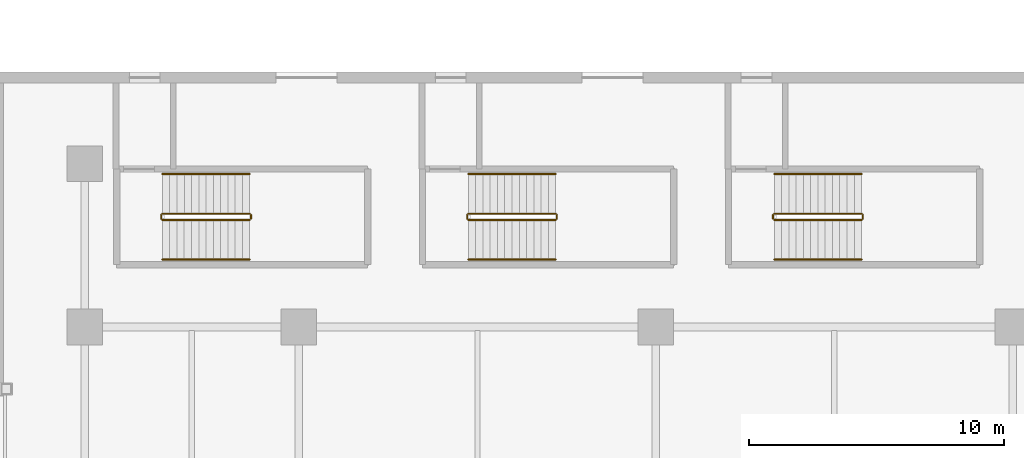
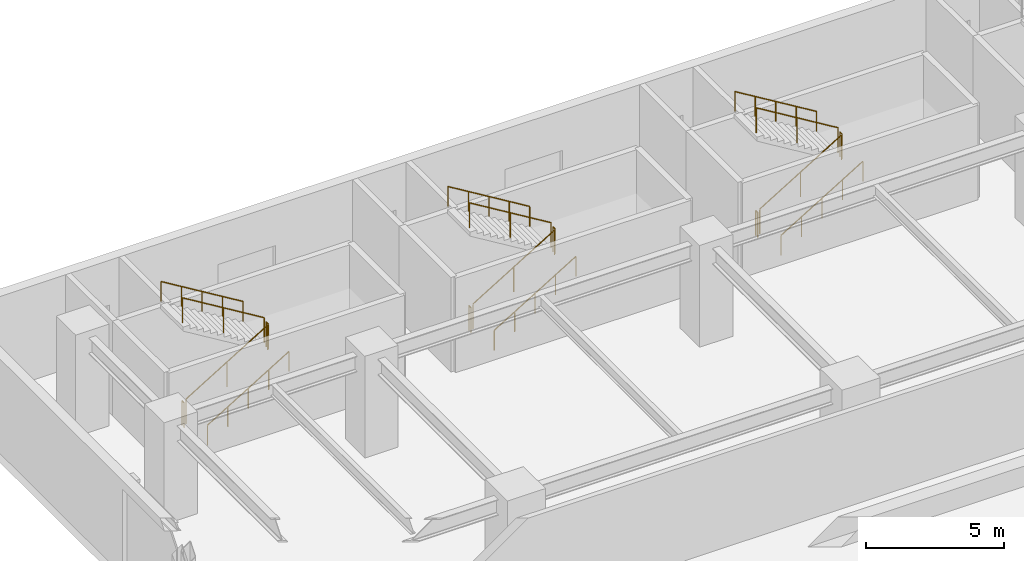
# One storey, part 39 of 42: 18 railings.
"""IFC4 building model written with IfcOpenShell, lengths in metres."""

import ifcopenshell
import ifcopenshell.guid

model = None  # the IFC model being written
_history = None  # IfcOwnerHistory: only IFC2X3 demands one
_inside = {}  # id of a spatial element -> (the spatial element, [elements in it])
_under = {}  # id of a project, library or spatial element -> (it, [spatial elements below it])
_declared = {}  # id of a project -> (the project, [libraries it declares])
_typed = {}  # id of a type object -> (the type object, [elements of that type])
_made_of = {}  # id of a material, layer set ... -> (it, [elements and type objects made of it])


def new_model(schema):
    """Start an empty IFC model of exactly this schema.

    Asked for "IFC4X3", IfcOpenShell would pick the latest addendum, in which some entities
    have other attributes; the version numbers below select the first issue.
    IFC2X3 requires an IfcOwnerHistory on every rooted entity: one is made here for all.
    """
    global model, _history
    if schema == "IFC4X3":
        model = ifcopenshell.file(schema_version=(4, 3, 0, 0))
    else:
        model = ifcopenshell.file(schema=schema)
    _inside.clear()
    _under.clear()
    _declared.clear()
    _typed.clear()
    _made_of.clear()
    _history = None
    if model.schema == "IFC2X3":
        org = make("IfcOrganization", Name="unknown")
        user = make(
            "IfcPersonAndOrganization",
            ThePerson=make("IfcPerson", FamilyName="unknown"),
            TheOrganization=org,
        )
        app = make(
            "IfcApplication",
            ApplicationDeveloper=org,
            Version="unknown",
            ApplicationFullName="unknown",
            ApplicationIdentifier="unknown",
        )
        _history = make(
            "IfcOwnerHistory",
            OwningUser=user,
            OwningApplication=app,
            ChangeAction="ADDED",
            CreationDate=0,
        )
    return model


def make(cls, **values):
    """One entity of the class cls with the attributes given. An attribute that is None is left unset."""
    return model.create_entity(
        cls, **{name: value for name, value in values.items() if value is not None}
    )


def rooted(cls, **values):
    """An entity with a GlobalId (a new one), such as an element, a storey or a relation."""
    return make(cls, GlobalId=ifcopenshell.guid.new(), OwnerHistory=_history, **values)


def si_unit(unit_type, name, prefix=None):
    """IfcSIUnit, for example si_unit("LENGTHUNIT", "METRE", prefix="MILLI")."""
    return make("IfcSIUnit", UnitType=unit_type, Prefix=prefix, Name=name)


def assignment(units):
    """IfcUnitAssignment: the units of a project."""
    return None if units is None else make("IfcUnitAssignment", Units=units)


def point(xyz):
    """IfcCartesianPoint."""
    return None if xyz is None else make("IfcCartesianPoint", Coordinates=xyz)


def direction(xyz):
    """IfcDirection."""
    return None if xyz is None else make("IfcDirection", DirectionRatios=xyz)


def frame(location, z_axis=None, x_axis=None):
    """IfcAxis2Placement3D, a coordinate frame: its origin and axes. An axis left out is left unset."""
    return make(
        "IfcAxis2Placement3D",
        Location=point(location),
        Axis=direction(z_axis),
        RefDirection=direction(x_axis),
    )


def frame_2d(location, x_axis=None):
    """IfcAxis2Placement2D, a coordinate frame in the plane: its origin and x axis."""
    return make(
        "IfcAxis2Placement2D", Location=point(location), RefDirection=direction(x_axis)
    )


def origin():
    """The frame at (0, 0, 0) with its axes left unset."""
    return frame((0.0, 0.0, 0.0))


def origin_2d():
    """The frame at (0, 0) in the plane with its x axis left unset."""
    return frame_2d((0.0, 0.0))


def place(relative_to, where):
    """IfcLocalPlacement: puts the frame where relative to a parent placement (None: the world)."""
    return make(
        "IfcLocalPlacement", PlacementRelTo=relative_to, RelativePlacement=where
    )


def context(
    kind, dimensions, precision=None, world=None, true_north=None, identifier=None
):
    """IfcGeometricRepresentationContext, for example the 3D "Model" context."""
    return make(
        "IfcGeometricRepresentationContext",
        ContextIdentifier=identifier,
        ContextType=kind,
        CoordinateSpaceDimension=dimensions,
        Precision=precision,
        WorldCoordinateSystem=world,
        TrueNorth=true_north,
    )


def subcontext(parent, identifier, kind, view, scale=None):
    """IfcGeometricRepresentationSubContext, for example "Body" below "Model"."""
    return make(
        "IfcGeometricRepresentationSubContext",
        ContextIdentifier=identifier,
        ContextType=kind,
        ParentContext=parent,
        TargetScale=scale,
        TargetView=view,
    )


def project(units=None, contexts=None):
    """IfcProject with its units and contexts."""
    return rooted(
        "IfcProject",
        Name="project",
        RepresentationContexts=contexts,
        UnitsInContext=assignment(units),
    )


def spatial(cls, under=None, at=None, **own):
    """A site, building, storey or space (cls), placed at a placement, below another one or the project."""
    s = rooted(cls, ObjectPlacement=at, **own)
    if under is not None:
        _under.setdefault(under.id(), (under, []))[1].append(s)
    return s


def profile(cls, at=None, kind="AREA", **sizes):
    """A parametric profile (cls). Its sizes go by their IFC names, for example OverallWidth=200.0."""
    return make(cls, ProfileType=kind, Position=at, **sizes)


def circle(**sizes):
    """IfcCircleProfileDef."""
    return profile("IfcCircleProfileDef", **sizes)


def extrude(swept, where, along, depth):
    """IfcExtrudedAreaSolid: the profile swept, set in the frame where, extruded along a direction by depth."""
    return make(
        "IfcExtrudedAreaSolid",
        SweptArea=swept,
        Position=where,
        ExtrudedDirection=direction(along),
        Depth=depth,
    )


def shape(context_of_items, identifier, shape_type, items):
    """IfcShapeRepresentation: the items that make up one representation, for example the "Body"."""
    return make(
        "IfcShapeRepresentation",
        ContextOfItems=context_of_items,
        RepresentationIdentifier=identifier,
        RepresentationType=shape_type,
        Items=items,
    )


def material(Name=None, Category=None):
    """IfcMaterial."""
    return make("IfcMaterial", Name=Name, Category=Category)


def made_of(thing, what):
    """Note that an element or type object is made of a material, layer set ...; save() writes the relation."""
    if what is not None:
        _made_of.setdefault(what.id(), (what, []))[1].append(thing)
    return thing


def type_object(cls, material=None, **own):
    """A type object (cls), such as IfcWallType, which elements share."""
    return made_of(rooted(cls, **own), material)


def element(
    cls,
    number,
    at=None,
    inside=None,
    cuts=None,
    type_object=None,
    material=None,
    context=None,
    identifier="Body",
    shape_type=None,
    held_by="IfcProductDefinitionShape",
    body=None,
    shapes=None,
    **own,
):
    """One element of the class cls, such as IfcWall. Its Tag is "e" and its number.

    at: its placement. inside: the storey or other place that contains it. cuts: it is an
    opening in that element (IfcRelVoidsElement). A single representation is given by context,
    identifier, shape_type and body (its items); several are given by shapes. held_by: the class
    of the entity that holds the representations. save() writes the other relations.
    """
    e = rooted(cls, Tag="e%d" % number, ObjectPlacement=at, **own)
    if body is not None:
        shapes = [shape(context, identifier, shape_type, body)]
    if shapes is not None:
        e.Representation = make(held_by, Representations=shapes)
    if inside is not None:
        _inside.setdefault(inside.id(), (inside, []))[1].append(e)
    if cuts is not None:
        rooted(
            "IfcRelVoidsElement", RelatingBuildingElement=cuts, RelatedOpeningElement=e
        )
    if type_object is not None:
        _typed.setdefault(type_object.id(), (type_object, []))[1].append(e)
    return made_of(e, material)


def aggregate(whole, parts):
    """IfcRelAggregates: a whole, such as a stair, and the parts it consists of."""
    return rooted("IfcRelAggregates", RelatingObject=whole, RelatedObjects=parts)


def save(model, path):
    """Write the relations noted so far, then the file.

    IfcRelAggregates (storeys below a building ...), IfcRelContainedInSpatialStructure (elements
    in a storey), IfcRelDefinesByType, IfcRelAssociatesMaterial and IfcRelDeclares: one each for
    every whole, place, type object, material and project.
    """
    for whole, parts in _under.values():
        aggregate(whole, parts)
    for where, things in _inside.values():
        rooted(
            "IfcRelContainedInSpatialStructure",
            RelatedElements=things,
            RelatingStructure=where,
        )
    for kind, things in _typed.values():
        rooted("IfcRelDefinesByType", RelatedObjects=things, RelatingType=kind)
    for what, things in _made_of.values():
        rooted("IfcRelAssociatesMaterial", RelatedObjects=things, RelatingMaterial=what)
    for by, libraries in _declared.values():
        rooted("IfcRelDeclares", RelatingContext=by, RelatedDefinitions=libraries)
    model.write(path)


model = new_model("IFC4")

# Units and contexts
model_context = context("Model", 3, precision=1e-05, world=origin(), true_north=direction((0.0, 1.0)))
body_context = subcontext(model_context, "Body", "Model", "MODEL_VIEW")
ifc_project = project(units=[si_unit("LENGTHUNIT", "METRE"), si_unit("AREAUNIT", "SQUARE_METRE"), si_unit("VOLUMEUNIT", "CUBIC_METRE"), si_unit("PLANEANGLEUNIT", "RADIAN"), si_unit("MASSUNIT", "GRAM", prefix="KILO")], contexts=[model_context])

# Site, building, storey
site_placement = place(None, origin())
site = spatial("IfcSite", under=ifc_project, at=site_placement, CompositionType="ELEMENT")
building_placement = place(site_placement, origin())
building = spatial("IfcBuilding", under=site, at=building_placement, Name="Narakoshi Arena Tower", CompositionType="ELEMENT")
storey_placement = place(building_placement, origin())
storey = spatial("IfcBuildingStorey", under=building, at=storey_placement, Name="L00", CompositionType="ELEMENT", Elevation=0.0)

# Railings
ifc_material_1 = material(Name="Clear low-iron laminated structural glass", Category="glass")
railing_type_1 = type_object("IfcRailingType", Name="RL-BAL-1100", PredefinedType="BALUSTRADE", material=ifc_material_1)
railing_1_placement = place(storey_placement, frame((6.64990234375, 90.199951171875, 0.173095703125)))
element("IfcRailing", 1, at=railing_1_placement, inside=storey, type_object=railing_type_1, Name="L00 AST5 stair guard 1", PredefinedType="BALUSTRADE", context=body_context, shape_type="SweptSolid", body=[
    extrude(circle(Radius=0.02392578125, at=origin_2d()), frame((0.0, 0.0, 1.09619140625), z_axis=(0.854745945586, 0.0, 0.519046595696), x_axis=(0.0, 1.0, 0.0)), (0.0, 0.0, 1.0), 4.00146484375),
    extrude(circle(Radius=0.02099609375, at=origin_2d()), origin(), (0.0, 0.0, 1.0), 1.072021484375),
    extrude(circle(Radius=0.02099609375, at=origin_2d()), frame((1.7099609375, 0.0, 1.03857421875)), (0.0, 0.0, 1.0), 1.072021484375),
    extrude(circle(Radius=0.02099609375, at=origin_2d()), frame((3.420166015625, 0.0, 2.076904296875)), (0.0, 0.0, 1.0), 1.072021484375),
])
railing_2_placement = place(storey_placement, frame((10.1201171875, 90.25, 2.25)))
element("IfcRailing", 2, at=railing_2_placement, inside=storey, type_object=railing_type_1, Name="L00 AST5 stair guard 2", PredefinedType="BALUSTRADE", context=body_context, shape_type="SweptSolid", body=[
    extrude(circle(Radius=0.02392578125, at=origin_2d()), frame((0.0, 0.0, 1.09619140625), z_axis=(0.0, 1.0, 0.0), x_axis=(-1.0, 0.0, 0.0)), (0.0, 0.0, 1.0), 0.14990234375),
    extrude(circle(Radius=0.02099609375, at=origin_2d()), origin(), (0.0, 0.0, 1.0), 1.072021484375),
    extrude(circle(Radius=0.02099609375, at=origin_2d()), frame((0.0, 0.14990234375, 0.0)), (0.0, 0.0, 1.0), 1.072021484375),
])
railing_3_placement = place(storey_placement, frame((10.070068359375, 90.449951171875, 2.423095703125)))
element("IfcRailing", 3, at=railing_3_placement, inside=storey, type_object=railing_type_1, Name="L00 AST5 stair guard 3", PredefinedType="BALUSTRADE", context=body_context, shape_type="SweptSolid", body=[
    extrude(circle(Radius=0.02392578125, at=origin_2d()), frame((0.0, 0.0, 1.09619140625), z_axis=(-0.854745945586, 0.0, 0.519046595696), x_axis=(0.0, -1.0, 0.0)), (0.0, 0.0, 1.0), 4.00146484375),
    extrude(circle(Radius=0.02099609375, at=origin_2d()), origin(), (0.0, 0.0, 1.0), 1.072021484375),
    extrude(circle(Radius=0.02099609375, at=origin_2d()), frame((-1.7099609375, 0.0, 1.03857421875)), (0.0, 0.0, 1.0), 1.072021484375),
    extrude(circle(Radius=0.02099609375, at=origin_2d()), frame((-3.420166015625, 0.0, 2.076904296875)), (0.0, 0.0, 1.0), 1.072021484375),
])
railing_4_placement = place(storey_placement, frame((6.60009765625, 90.25, 0.0)))
element("IfcRailing", 4, at=railing_4_placement, inside=storey, type_object=railing_type_1, Name="L00 AST5 stair guard 4", PredefinedType="BALUSTRADE", context=body_context, shape_type="SweptSolid", body=[
    extrude(circle(Radius=0.02392578125, at=origin_2d()), frame((0.0, 0.0, 1.09619140625), z_axis=(0.0, 1.0, 0.0), x_axis=(-1.0, 0.0, 0.0)), (0.0, 0.0, 1.0), 0.14990234375),
    extrude(circle(Radius=0.02099609375, at=origin_2d()), origin(), (0.0, 0.0, 1.0), 1.072021484375),
    extrude(circle(Radius=0.02099609375, at=origin_2d()), frame((0.0, 0.14990234375, 0.0)), (0.0, 0.0, 1.0), 1.072021484375),
])
railing_5_placement = place(storey_placement, frame((18.64990234375, 90.199951171875, 0.173095703125)))
element("IfcRailing", 5, at=railing_5_placement, inside=storey, type_object=railing_type_1, Name="L00 AST6 stair guard 1", PredefinedType="BALUSTRADE", context=body_context, shape_type="SweptSolid", body=[
    extrude(circle(Radius=0.02392578125, at=origin_2d()), frame((0.0, 0.0, 1.09619140625), z_axis=(0.854745945586, 0.0, 0.519046595696), x_axis=(0.0, 1.0, 0.0)), (0.0, 0.0, 1.0), 4.00146484375),
    extrude(circle(Radius=0.02099609375, at=origin_2d()), origin(), (0.0, 0.0, 1.0), 1.072021484375),
    extrude(circle(Radius=0.02099609375, at=origin_2d()), frame((1.7099609375, 0.0, 1.03857421875)), (0.0, 0.0, 1.0), 1.072021484375),
    extrude(circle(Radius=0.02099609375, at=origin_2d()), frame((3.420166015625, 0.0, 2.076904296875)), (0.0, 0.0, 1.0), 1.072021484375),
])
railing_6_placement = place(storey_placement, frame((22.1201171875, 90.25, 2.25)))
element("IfcRailing", 6, at=railing_6_placement, inside=storey, type_object=railing_type_1, Name="L00 AST6 stair guard 2", PredefinedType="BALUSTRADE", context=body_context, shape_type="SweptSolid", body=[
    extrude(circle(Radius=0.02392578125, at=origin_2d()), frame((0.0, 0.0, 1.09619140625), z_axis=(0.0, 1.0, 0.0), x_axis=(-1.0, 0.0, 0.0)), (0.0, 0.0, 1.0), 0.14990234375),
    extrude(circle(Radius=0.02099609375, at=origin_2d()), origin(), (0.0, 0.0, 1.0), 1.072021484375),
    extrude(circle(Radius=0.02099609375, at=origin_2d()), frame((0.0, 0.14990234375, 0.0)), (0.0, 0.0, 1.0), 1.072021484375),
])
railing_7_placement = place(storey_placement, frame((22.070068359375, 90.449951171875, 2.423095703125)))
element("IfcRailing", 7, at=railing_7_placement, inside=storey, type_object=railing_type_1, Name="L00 AST6 stair guard 3", PredefinedType="BALUSTRADE", context=body_context, shape_type="SweptSolid", body=[
    extrude(circle(Radius=0.02392578125, at=origin_2d()), frame((0.0, 0.0, 1.09619140625), z_axis=(-0.854745945586, 0.0, 0.519046595696), x_axis=(0.0, -1.0, 0.0)), (0.0, 0.0, 1.0), 4.00146484375),
    extrude(circle(Radius=0.02099609375, at=origin_2d()), origin(), (0.0, 0.0, 1.0), 1.072021484375),
    extrude(circle(Radius=0.02099609375, at=origin_2d()), frame((-1.7099609375, 0.0, 1.03857421875)), (0.0, 0.0, 1.0), 1.072021484375),
    extrude(circle(Radius=0.02099609375, at=origin_2d()), frame((-3.420166015625, 0.0, 2.076904296875)), (0.0, 0.0, 1.0), 1.072021484375),
])
railing_8_placement = place(storey_placement, frame((18.60009765625, 90.25, 0.0)))
element("IfcRailing", 8, at=railing_8_placement, inside=storey, type_object=railing_type_1, Name="L00 AST6 stair guard 4", PredefinedType="BALUSTRADE", context=body_context, shape_type="SweptSolid", body=[
    extrude(circle(Radius=0.02392578125, at=origin_2d()), frame((0.0, 0.0, 1.09619140625), z_axis=(0.0, 1.0, 0.0), x_axis=(-1.0, 0.0, 0.0)), (0.0, 0.0, 1.0), 0.14990234375),
    extrude(circle(Radius=0.02099609375, at=origin_2d()), origin(), (0.0, 0.0, 1.0), 1.072021484375),
    extrude(circle(Radius=0.02099609375, at=origin_2d()), frame((0.0, 0.14990234375, 0.0)), (0.0, 0.0, 1.0), 1.072021484375),
])
railing_9_placement = place(storey_placement, frame((30.64990234375, 90.199951171875, 0.173095703125)))
element("IfcRailing", 9, at=railing_9_placement, inside=storey, type_object=railing_type_1, Name="L00 AST7 stair guard 1", PredefinedType="BALUSTRADE", context=body_context, shape_type="SweptSolid", body=[
    extrude(circle(Radius=0.02392578125, at=origin_2d()), frame((0.0, 0.0, 1.09619140625), z_axis=(0.854745945586, 0.0, 0.519046595696), x_axis=(0.0, 1.0, 0.0)), (0.0, 0.0, 1.0), 4.00146484375),
    extrude(circle(Radius=0.02099609375, at=origin_2d()), origin(), (0.0, 0.0, 1.0), 1.072021484375),
    extrude(circle(Radius=0.02099609375, at=origin_2d()), frame((1.7099609375, 0.0, 1.03857421875)), (0.0, 0.0, 1.0), 1.072021484375),
    extrude(circle(Radius=0.02099609375, at=origin_2d()), frame((3.420166015625, 0.0, 2.076904296875)), (0.0, 0.0, 1.0), 1.072021484375),
])
railing_10_placement = place(storey_placement, frame((34.1201171875, 90.25, 2.25)))
element("IfcRailing", 10, at=railing_10_placement, inside=storey, type_object=railing_type_1, Name="L00 AST7 stair guard 2", PredefinedType="BALUSTRADE", context=body_context, shape_type="SweptSolid", body=[
    extrude(circle(Radius=0.02392578125, at=origin_2d()), frame((0.0, 0.0, 1.09619140625), z_axis=(0.0, 1.0, 0.0), x_axis=(-1.0, 0.0, 0.0)), (0.0, 0.0, 1.0), 0.14990234375),
    extrude(circle(Radius=0.02099609375, at=origin_2d()), origin(), (0.0, 0.0, 1.0), 1.072021484375),
    extrude(circle(Radius=0.02099609375, at=origin_2d()), frame((0.0, 0.14990234375, 0.0)), (0.0, 0.0, 1.0), 1.072021484375),
])
railing_11_placement = place(storey_placement, frame((34.070068359375, 90.449951171875, 2.423095703125)))
element("IfcRailing", 11, at=railing_11_placement, inside=storey, type_object=railing_type_1, Name="L00 AST7 stair guard 3", PredefinedType="BALUSTRADE", context=body_context, shape_type="SweptSolid", body=[
    extrude(circle(Radius=0.02392578125, at=origin_2d()), frame((0.0, 0.0, 1.09619140625), z_axis=(-0.854745945586, 0.0, 0.519046595696), x_axis=(0.0, -1.0, 0.0)), (0.0, 0.0, 1.0), 4.00146484375),
    extrude(circle(Radius=0.02099609375, at=origin_2d()), origin(), (0.0, 0.0, 1.0), 1.072021484375),
    extrude(circle(Radius=0.02099609375, at=origin_2d()), frame((-1.7099609375, 0.0, 1.03857421875)), (0.0, 0.0, 1.0), 1.072021484375),
    extrude(circle(Radius=0.02099609375, at=origin_2d()), frame((-3.420166015625, 0.0, 2.076904296875)), (0.0, 0.0, 1.0), 1.072021484375),
])
railing_12_placement = place(storey_placement, frame((30.60009765625, 90.25, 0.0)))
element("IfcRailing", 12, at=railing_12_placement, inside=storey, type_object=railing_type_1, Name="L00 AST7 stair guard 4", PredefinedType="BALUSTRADE", context=body_context, shape_type="SweptSolid", body=[
    extrude(circle(Radius=0.02392578125, at=origin_2d()), frame((0.0, 0.0, 1.09619140625), z_axis=(0.0, 1.0, 0.0), x_axis=(-1.0, 0.0, 0.0)), (0.0, 0.0, 1.0), 0.14990234375),
    extrude(circle(Radius=0.02099609375, at=origin_2d()), origin(), (0.0, 0.0, 1.0), 1.072021484375),
    extrude(circle(Radius=0.02099609375, at=origin_2d()), frame((0.0, 0.14990234375, 0.0)), (0.0, 0.0, 1.0), 1.072021484375),
])
ifc_material_2 = material(Name="Brushed bronze stainless steel", Category="steel")
railing_type_2 = type_object("IfcRailingType", Name="RL-HND-900", PredefinedType="HANDRAIL", material=ifc_material_2)
railing_13_placement = place(storey_placement, frame((6.64990234375, 88.64990234375, 0.173095703125)))
element("IfcRailing", 13, at=railing_13_placement, inside=storey, type_object=railing_type_2, Name="L00 AST5 stair handrail 1", PredefinedType="HANDRAIL", context=body_context, shape_type="SweptSolid", body=[
    extrude(circle(Radius=0.02392578125, at=origin_2d()), frame((0.0, 0.0, 0.8759765625), z_axis=(0.854745945586, 0.0, 0.519046595696), x_axis=(0.0, 1.0, 0.0)), (0.0, 0.0, 1.0), 4.00146484375),
    extrude(circle(Radius=0.02099609375, at=origin_2d()), origin(), (0.0, 0.0, 1.0), 0.851806640625),
    extrude(circle(Radius=0.02099609375, at=origin_2d()), frame((0.85498046875, 0.0, 0.519287109375)), (0.0, 0.0, 1.0), 0.851806640625),
    extrude(circle(Radius=0.02099609375, at=origin_2d()), frame((1.7099609375, 0.0, 1.03857421875)), (0.0, 0.0, 1.0), 0.851806640625),
    extrude(circle(Radius=0.02099609375, at=origin_2d()), frame((2.565185546875, 0.0, 1.5576171875)), (0.0, 0.0, 1.0), 0.851806640625),
    extrude(circle(Radius=0.02099609375, at=origin_2d()), frame((3.420166015625, 0.0, 2.076904296875)), (0.0, 0.0, 1.0), 0.851806640625),
])
railing_14_placement = place(storey_placement, frame((10.070068359375, 92.0, 2.423095703125)))
element("IfcRailing", 14, at=railing_14_placement, inside=storey, type_object=railing_type_2, Name="L00 AST5 stair handrail 2", PredefinedType="HANDRAIL", context=body_context, shape_type="SweptSolid", body=[
    extrude(circle(Radius=0.02392578125, at=origin_2d()), frame((0.0, 0.0, 0.8759765625), z_axis=(-0.854745945586, 0.0, 0.519046595696), x_axis=(0.0, -1.0, 0.0)), (0.0, 0.0, 1.0), 4.00146484375),
    extrude(circle(Radius=0.02099609375, at=origin_2d()), origin(), (0.0, 0.0, 1.0), 0.851806640625),
    extrude(circle(Radius=0.02099609375, at=origin_2d()), frame((-0.85498046875, 0.0, 0.519287109375)), (0.0, 0.0, 1.0), 0.851806640625),
    extrude(circle(Radius=0.02099609375, at=origin_2d()), frame((-1.7099609375, 0.0, 1.03857421875)), (0.0, 0.0, 1.0), 0.851806640625),
    extrude(circle(Radius=0.02099609375, at=origin_2d()), frame((-2.565185546875, 0.0, 1.5576171875)), (0.0, 0.0, 1.0), 0.851806640625),
    extrude(circle(Radius=0.02099609375, at=origin_2d()), frame((-3.420166015625, 0.0, 2.076904296875)), (0.0, 0.0, 1.0), 0.851806640625),
])
railing_15_placement = place(storey_placement, frame((18.64990234375, 88.64990234375, 0.173095703125)))
element("IfcRailing", 15, at=railing_15_placement, inside=storey, type_object=railing_type_2, Name="L00 AST6 stair handrail 1", PredefinedType="HANDRAIL", context=body_context, shape_type="SweptSolid", body=[
    extrude(circle(Radius=0.02392578125, at=origin_2d()), frame((0.0, 0.0, 0.8759765625), z_axis=(0.854745945586, 0.0, 0.519046595696), x_axis=(0.0, 1.0, 0.0)), (0.0, 0.0, 1.0), 4.00146484375),
    extrude(circle(Radius=0.02099609375, at=origin_2d()), origin(), (0.0, 0.0, 1.0), 0.851806640625),
    extrude(circle(Radius=0.02099609375, at=origin_2d()), frame((0.85498046875, 0.0, 0.519287109375)), (0.0, 0.0, 1.0), 0.851806640625),
    extrude(circle(Radius=0.02099609375, at=origin_2d()), frame((1.7099609375, 0.0, 1.03857421875)), (0.0, 0.0, 1.0), 0.851806640625),
    extrude(circle(Radius=0.02099609375, at=origin_2d()), frame((2.565185546875, 0.0, 1.5576171875)), (0.0, 0.0, 1.0), 0.851806640625),
    extrude(circle(Radius=0.02099609375, at=origin_2d()), frame((3.420166015625, 0.0, 2.076904296875)), (0.0, 0.0, 1.0), 0.851806640625),
])
railing_16_placement = place(storey_placement, frame((22.070068359375, 92.0, 2.423095703125)))
element("IfcRailing", 16, at=railing_16_placement, inside=storey, type_object=railing_type_2, Name="L00 AST6 stair handrail 2", PredefinedType="HANDRAIL", context=body_context, shape_type="SweptSolid", body=[
    extrude(circle(Radius=0.02392578125, at=origin_2d()), frame((0.0, 0.0, 0.8759765625), z_axis=(-0.854745945586, 0.0, 0.519046595696), x_axis=(0.0, -1.0, 0.0)), (0.0, 0.0, 1.0), 4.00146484375),
    extrude(circle(Radius=0.02099609375, at=origin_2d()), origin(), (0.0, 0.0, 1.0), 0.851806640625),
    extrude(circle(Radius=0.02099609375, at=origin_2d()), frame((-0.85498046875, 0.0, 0.519287109375)), (0.0, 0.0, 1.0), 0.851806640625),
    extrude(circle(Radius=0.02099609375, at=origin_2d()), frame((-1.7099609375, 0.0, 1.03857421875)), (0.0, 0.0, 1.0), 0.851806640625),
    extrude(circle(Radius=0.02099609375, at=origin_2d()), frame((-2.565185546875, 0.0, 1.5576171875)), (0.0, 0.0, 1.0), 0.851806640625),
    extrude(circle(Radius=0.02099609375, at=origin_2d()), frame((-3.420166015625, 0.0, 2.076904296875)), (0.0, 0.0, 1.0), 0.851806640625),
])
railing_17_placement = place(storey_placement, frame((30.64990234375, 88.64990234375, 0.173095703125)))
element("IfcRailing", 17, at=railing_17_placement, inside=storey, type_object=railing_type_2, Name="L00 AST7 stair handrail 1", PredefinedType="HANDRAIL", context=body_context, shape_type="SweptSolid", body=[
    extrude(circle(Radius=0.02392578125, at=origin_2d()), frame((0.0, 0.0, 0.8759765625), z_axis=(0.854745945586, 0.0, 0.519046595696), x_axis=(0.0, 1.0, 0.0)), (0.0, 0.0, 1.0), 4.00146484375),
    extrude(circle(Radius=0.02099609375, at=origin_2d()), origin(), (0.0, 0.0, 1.0), 0.851806640625),
    extrude(circle(Radius=0.02099609375, at=origin_2d()), frame((0.85498046875, 0.0, 0.519287109375)), (0.0, 0.0, 1.0), 0.851806640625),
    extrude(circle(Radius=0.02099609375, at=origin_2d()), frame((1.7099609375, 0.0, 1.03857421875)), (0.0, 0.0, 1.0), 0.851806640625),
    extrude(circle(Radius=0.02099609375, at=origin_2d()), frame((2.565185546875, 0.0, 1.5576171875)), (0.0, 0.0, 1.0), 0.851806640625),
    extrude(circle(Radius=0.02099609375, at=origin_2d()), frame((3.420166015625, 0.0, 2.076904296875)), (0.0, 0.0, 1.0), 0.851806640625),
])
railing_18_placement = place(storey_placement, frame((34.070068359375, 92.0, 2.423095703125)))
element("IfcRailing", 18, at=railing_18_placement, inside=storey, type_object=railing_type_2, Name="L00 AST7 stair handrail 2", PredefinedType="HANDRAIL", context=body_context, shape_type="SweptSolid", body=[
    extrude(circle(Radius=0.02392578125, at=origin_2d()), frame((0.0, 0.0, 0.8759765625), z_axis=(-0.854745945586, 0.0, 0.519046595696), x_axis=(0.0, -1.0, 0.0)), (0.0, 0.0, 1.0), 4.00146484375),
    extrude(circle(Radius=0.02099609375, at=origin_2d()), origin(), (0.0, 0.0, 1.0), 0.851806640625),
    extrude(circle(Radius=0.02099609375, at=origin_2d()), frame((-0.85498046875, 0.0, 0.519287109375)), (0.0, 0.0, 1.0), 0.851806640625),
    extrude(circle(Radius=0.02099609375, at=origin_2d()), frame((-1.7099609375, 0.0, 1.03857421875)), (0.0, 0.0, 1.0), 0.851806640625),
    extrude(circle(Radius=0.02099609375, at=origin_2d()), frame((-2.565185546875, 0.0, 1.5576171875)), (0.0, 0.0, 1.0), 0.851806640625),
    extrude(circle(Radius=0.02099609375, at=origin_2d()), frame((-3.420166015625, 0.0, 2.076904296875)), (0.0, 0.0, 1.0), 0.851806640625),
])

save(model, "model.ifc")
